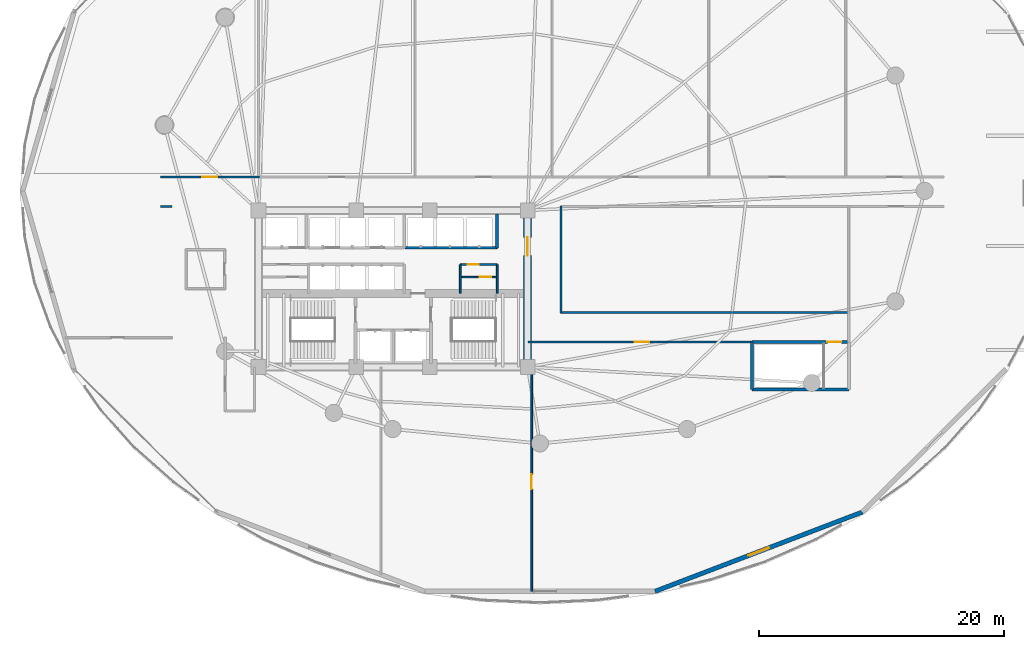
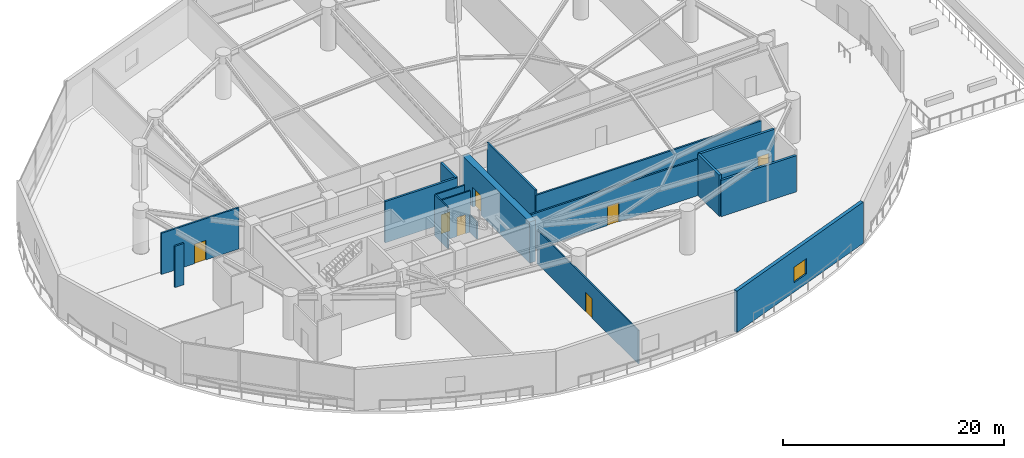
# One storey, part 17 of 26: 17 walls, 7 doors, 1 window, 8 openings.
"""IFC4 building model written with IfcOpenShell, lengths in metres."""

from ifc_helpers import new_model, si_unit, direction, frame, frame_2d, origin, place, context, subcontext, project, spatial, rectangle, extrude, material, layer, layer_set, type_object, element, fill, save


model = new_model("IFC4")

# Units and contexts
model_context = context("Model", 3, precision=1e-05, world=origin(), true_north=direction((0.0, 1.0)))
body_context = subcontext(model_context, "Body", "Model", "MODEL_VIEW")
ifc_project = project(units=[si_unit("LENGTHUNIT", "METRE"), si_unit("AREAUNIT", "SQUARE_METRE"), si_unit("VOLUMEUNIT", "CUBIC_METRE"), si_unit("PLANEANGLEUNIT", "RADIAN"), si_unit("MASSUNIT", "GRAM", prefix="KILO")], contexts=[model_context])

# Site, building, storey
site_placement = place(None, origin())
site = spatial("IfcSite", under=ifc_project, at=site_placement, CompositionType="ELEMENT")
building_placement = place(site_placement, origin())
building = spatial("IfcBuilding", under=site, at=building_placement, Name="Kazevale Care Tower and Concert Hall", CompositionType="ELEMENT")
storey_placement = place(building_placement, frame((0.0, 0.0, 19.199951171875)))
storey = spatial("IfcBuildingStorey", under=building, at=storey_placement, Name="L04", CompositionType="ELEMENT", Elevation=19.199951171875)

# Walls
ifc_material_1 = material(Name="Acoustic Gypsum on Steel Stud", Category="steel")
ifc_layer_1 = layer(ifc_material_1, 0.139892578125)
ifc_layer_set_1 = layer_set([ifc_layer_1], Name="Acoustic Gypsum on Steel Stud")
wall_type_1 = type_object("IfcWallType", Name="Acoustic Care & Suite Partition 140", PredefinedType="PARTITIONING", material=ifc_layer_set_1)
wall_1_placement = place(storey_placement, frame((38.47998046875, 29.6201171875, 0.0), z_axis=(0.0, 0.0, 1.0), x_axis=(0.0, 1.0, 0.0)))
element("IfcWall", 1, at=wall_1_placement, inside=storey, type_object=wall_type_1, Name="wall:L04:kc_ew", PredefinedType="PARTITIONING", context=body_context, shape_type="SweptSolid", body=[
    extrude(rectangle(XDim=2.35986328125, YDim=0.139892578125, at=frame_2d((1.179931640625, 0.0))), origin(), (0.0, 0.0, 1.0), 4.56005859375),
])
wall_2_placement = place(storey_placement, frame((41.52001953125, 29.6201171875, 0.0), z_axis=(0.0, 0.0, 1.0), x_axis=(0.0, 1.0, 0.0)))
element("IfcWall", 2, at=wall_2_placement, inside=storey, type_object=wall_type_1, Name="wall:L04:kc_ee", PredefinedType="PARTITIONING", context=body_context, shape_type="SweptSolid", body=[
    extrude(rectangle(XDim=2.35986328125, YDim=0.139892578125, at=frame_2d((1.179931640625, 0.0))), origin(), (0.0, 0.0, 1.0), 1.886962890625),
])

# Wall, opening, door
wall_3_placement = place(storey_placement, frame((38.47998046875, 30.949951171875, 0.0), z_axis=(0.0, 0.0, 1.0), x_axis=(1.0, 0.0, 0.0)))
wall_3 = element("IfcWall", 3, at=wall_3_placement, inside=storey, type_object=wall_type_1, Name="wall:L04:kc_em", PredefinedType="PARTITIONING", context=body_context, shape_type="SweptSolid", body=[
    extrude(rectangle(XDim=3.0400390625, YDim=0.139892578125, at=frame_2d((1.52001953125, 0.0))), origin(), (0.0, 0.0, 1.0), 4.56005859375),
])
opening_1_placement = place(wall_3_placement, frame((1.616943359375, 0.0, 0.0)))
opening_1 = element("IfcOpeningElement", 4, at=opening_1_placement, cuts=wall_3, Name="Opening ID-900", PredefinedType="OPENING", context=body_context, shape_type="SweptSolid", body=[
    extrude(rectangle(XDim=0.919921875, YDim=2.10009765625, at=frame_2d((0.4599609375, 1.050048828125))), frame((0.0, 0.079833984375, 0.0), z_axis=(0.0, -1.0, 0.0), x_axis=(1.0, 0.0, 0.0)), (0.0, 0.0, 1.0), 0.159912109375),
])
ifc_material_2 = material(Name="Oak Timber Fire Leaf", Category="wood")
door_type_1 = type_object("IfcDoorType", Name="Bathroom & Service Door 920x2100", OperationType="NOTDEFINED", PredefinedType="DOOR", material=ifc_material_2)
door_1_placement = place(opening_1_placement, origin())
door_1 = element("IfcDoor", 5, at=door_1_placement, inside=storey, type_object=door_type_1, Name="door:L04:d_kceb", OperationType="SINGLE_SWING_RIGHT", OverallHeight=2.10009765625, OverallWidth=0.919921875, PredefinedType="DOOR", context=body_context, shape_type="SweptSolid", body=[
    extrude(rectangle(XDim=0.919921875, YDim=2.10009765625, at=frame_2d((0.4599609375, 1.050048828125))), frame((0.0, 0.02490234375, 0.0), z_axis=(0.0, -1.0, 0.0), x_axis=(1.0, 0.0, 0.0)), (0.0, 0.0, 1.0), 0.050048828125),
])
fill(opening_1, door_1)

wall_4_placement = place(storey_placement, frame((38.47998046875, 31.97998046875, 0.0), z_axis=(0.0, 0.0, 1.0), x_axis=(1.0, 0.0, 0.0)))
wall_4 = element("IfcWall", 6, at=wall_4_placement, inside=storey, type_object=wall_type_1, Name="wall:L04:kc_en", PredefinedType="PARTITIONING", context=body_context, shape_type="SweptSolid", body=[
    extrude(rectangle(XDim=3.0400390625, YDim=0.139892578125, at=frame_2d((1.52001953125, 0.0))), origin(), (0.0, 0.0, 1.0), 4.56005859375),
])
opening_2_placement = place(wall_4_placement, frame((0.614013671875, 0.0, 0.0)))
opening_2 = element("IfcOpeningElement", 7, at=opening_2_placement, cuts=wall_4, Name="Opening ID-900", PredefinedType="OPENING", context=body_context, shape_type="SweptSolid", body=[
    extrude(rectangle(XDim=0.919921875, YDim=2.10009765625, at=frame_2d((0.4599609375, 1.050048828125))), frame((0.0, 0.079833984375, 0.0), z_axis=(0.0, -1.0, 0.0), x_axis=(1.0, 0.0, 0.0)), (0.0, 0.0, 1.0), 0.159912109375),
])
door_2_placement = place(opening_2_placement, origin())
door_2 = element("IfcDoor", 8, at=door_2_placement, inside=storey, type_object=door_type_1, Name="door:L04:d_kcet", OperationType="SINGLE_SWING_LEFT", OverallHeight=2.10009765625, OverallWidth=0.919921875, PredefinedType="DOOR", context=body_context, shape_type="SweptSolid", body=[
    extrude(rectangle(XDim=0.919921875, YDim=2.10009765625, at=frame_2d((0.4599609375, 1.050048828125))), frame((0.0, 0.02490234375, 0.0), z_axis=(0.0, -1.0, 0.0), x_axis=(1.0, 0.0, 0.0)), (0.0, 0.0, 1.0), 0.050048828125),
])
fill(opening_2, door_2)

wall_5_placement = place(storey_placement, frame((44.324951171875, 5.27197265625, 0.0), z_axis=(0.0, 0.0, 1.0), x_axis=(0.0, 1.0, 0.0)))
wall_5 = element("IfcWall", 9, at=wall_5_placement, inside=storey, type_object=wall_type_1, Name="wall:L04:auto_022", PredefinedType="PARTITIONING", context=body_context, shape_type="SweptSolid", body=[
    extrude(rectangle(XDim=18.318115234375, YDim=0.139892578125, at=frame_2d((9.1591796875, 0.0))), origin(), (0.0, 0.0, 1.0), 3.699951171875),
])
opening_3_placement = place(wall_5_placement, frame((8.34912109375, 0.0, 0.0)))
opening_3 = element("IfcOpeningElement", 10, at=opening_3_placement, cuts=wall_5, Name="Opening ID-1200", PredefinedType="OPENING", context=body_context, shape_type="SweptSolid", body=[
    extrude(rectangle(XDim=1.199951171875, YDim=2.14990234375, at=frame_2d((0.60009765625, 1.074951171875))), frame((0.0, 0.079833984375, 0.0), z_axis=(0.0, -1.0, 0.0), x_axis=(1.0, 0.0, 0.0)), (0.0, 0.0, 1.0), 0.159912109375),
])
door_type_2 = type_object("IfcDoorType", Name="Clinical & Therapy Door 1200x2150", OperationType="NOTDEFINED", PredefinedType="DOOR", material=ifc_material_2)
door_3_placement = place(opening_3_placement, origin())
door_3 = element("IfcDoor", 11, at=door_3_placement, inside=storey, type_object=door_type_2, Name="door:L04:ad_022", OperationType="SINGLE_SWING_LEFT", OverallHeight=2.14990234375, OverallWidth=1.199951171875, PredefinedType="DOOR", context=body_context, shape_type="SweptSolid", body=[
    extrude(rectangle(XDim=1.199951171875, YDim=2.14990234375, at=frame_2d((0.60009765625, 1.074951171875))), frame((0.0, 0.02490234375, 0.0), z_axis=(0.0, -1.0, 0.0), x_axis=(1.0, 0.0, 0.0)), (0.0, 0.0, 1.0), 0.050048828125),
])
fill(opening_3, door_3)

ifc_material_3 = material(Name="Concrete C70", Category="concrete")
ifc_layer_2 = layer(ifc_material_3, 0.64990234375)
ifc_layer_set_2 = layer_set([ifc_layer_2], Name="Concrete C70")
wall_type_2 = type_object("IfcWallType", Name="Core Shear Wall 650 C70", PredefinedType="SHEAR", material=ifc_layer_set_2)
wall_6_placement = place(storey_placement, frame((44.0, 23.925048828125, 0.0), z_axis=(0.0, 0.0, 1.0), x_axis=(0.0, 1.0, 0.0)))
wall_6 = element("IfcWall", 12, at=wall_6_placement, inside=storey, type_object=wall_type_2, Name="wall:L04:core:E", PredefinedType="SHEAR", context=body_context, shape_type="SweptSolid", body=[
    extrude(rectangle(XDim=12.14990234375, YDim=0.64990234375, at=frame_2d((6.074951171875, 0.0))), origin(), (0.0, 0.0, 1.0), 4.56005859375),
])
opening_4_placement = place(wall_6_placement, frame((8.77490234375, 0.0, 0.0)))
opening_4 = element("IfcOpeningElement", 13, at=opening_4_placement, cuts=wall_6, Name="Opening FD-60D", PredefinedType="OPENING", context=body_context, shape_type="SweptSolid", body=[
    extrude(rectangle(XDim=1.5, YDim=2.14990234375, at=frame_2d((0.75, 1.074951171875))), frame((0.0, 0.3349609375, 0.0), z_axis=(0.0, -1.0, 0.0), x_axis=(1.0, 0.0, 0.0)), (0.0, 0.0, 1.0), 0.669921875),
])
door_type_3 = type_object("IfcDoorType", Name="Double Lobby & Auditorium Fire Door 1500x2150", OperationType="NOTDEFINED", PredefinedType="DOOR", material=ifc_material_2)
door_4_placement = place(opening_4_placement, origin())
door_4 = element("IfcDoor", 14, at=door_4_placement, inside=storey, type_object=door_type_3, Name="door:L04:core_east_out", OperationType="DOUBLE_DOOR_SINGLE_SWING", OverallHeight=2.14990234375, OverallWidth=1.5, PredefinedType="DOOR", context=body_context, shape_type="SweptSolid", body=[
    extrude(rectangle(XDim=1.5, YDim=2.14990234375, at=frame_2d((0.75, 1.074951171875))), frame((0.0, 0.02490234375, 0.0), z_axis=(0.0, -1.0, 0.0), x_axis=(1.0, 0.0, 0.0)), (0.0, 0.0, 1.0), 0.050048828125),
])
fill(opening_4, door_4)

# Walls
ifc_material_4 = material(Name="Concrete C40", Category="concrete")
ifc_layer_3 = layer(ifc_material_4, 0.219970703125)
ifc_layer_set_3 = layer_set([ifc_layer_3], Name="Concrete C40")
wall_type_3 = type_object("IfcWallType", Name="Elevator Hoistway Shaft Wall 220", PredefinedType="SOLIDWALL", material=ifc_layer_set_3)
wall_7_placement = place(storey_placement, frame((33.97998046875, 33.35009765625, 0.0), z_axis=(0.0, 0.0, 1.0), x_axis=(1.0, 0.0, 0.0)))
element("IfcWall", 15, at=wall_7_placement, inside=storey, type_object=wall_type_3, Name="wall:L04:c_pm_s", PredefinedType="SOLIDWALL", context=body_context, shape_type="SweptSolid", body=[
    extrude(rectangle(XDim=7.5400390625, YDim=0.219970703125, at=frame_2d((3.77001953125, 0.0))), origin(), (0.0, 0.0, 1.0), 4.56005859375),
])
wall_8_placement = place(storey_placement, frame((41.5, 33.35009765625, 0.0), z_axis=(0.0, 0.0, 1.0), x_axis=(0.0, 1.0, 0.0)))
element("IfcWall", 16, at=wall_8_placement, inside=storey, type_object=wall_type_3, Name="wall:L04:c_pm_e", PredefinedType="SOLIDWALL", context=body_context, shape_type="SweptSolid", body=[
    extrude(rectangle(XDim=2.75, YDim=0.219970703125, at=frame_2d((1.375, 0.0))), origin(), (0.0, 0.0, 1.0), 4.56005859375),
])

# Wall, opening, door
ifc_material_5 = material(Name="Concrete C40 and Acoustic Gypsum", Category="concrete")
ifc_layer_4 = layer(ifc_material_5, 0.179931640625)
ifc_layer_set_4 = layer_set([ifc_layer_4], Name="Concrete C40 and Acoustic Gypsum")
wall_type_4 = type_object("IfcWallType", Name="Fire-Rated Corridor & Party Wall 180", PredefinedType="PARTITIONING", material=ifc_layer_set_4)
wall_9_placement = place(storey_placement, frame((13.969970703125, 39.125, 0.0), z_axis=(0.0, 0.0, 1.0), x_axis=(1.0, 0.0, 0.0)))
wall_9 = element("IfcWall", 17, at=wall_9_placement, inside=storey, type_object=wall_type_4, Name="wall:L04:auto_001", PredefinedType="PARTITIONING", context=body_context, shape_type="SweptSolid", body=[
    extrude(rectangle(XDim=8.094970703125, YDim=0.179931640625, at=frame_2d((4.04736328125, 0.0))), origin(), (0.0, 0.0, 1.0), 4.56005859375),
])
opening_5_placement = place(wall_9_placement, frame((3.447998046875, 0.0, 0.0)))
opening_5 = element("IfcOpeningElement", 18, at=opening_5_placement, cuts=wall_9, Name="Opening ID-1200", PredefinedType="OPENING", context=body_context, shape_type="SweptSolid", body=[
    extrude(rectangle(XDim=1.199951171875, YDim=2.14990234375, at=frame_2d((0.60009765625, 1.074951171875))), frame((0.0, 0.099853515625, 0.0), z_axis=(0.0, -1.0, 0.0), x_axis=(1.0, 0.0, 0.0)), (0.0, 0.0, 1.0), 0.199951171875),
])
door_5_placement = place(opening_5_placement, origin())
door_5 = element("IfcDoor", 19, at=door_5_placement, inside=storey, type_object=door_type_2, Name="door:L04:ad_001", OperationType="SINGLE_SWING_LEFT", OverallHeight=2.14990234375, OverallWidth=1.199951171875, PredefinedType="DOOR", context=body_context, shape_type="SweptSolid", body=[
    extrude(rectangle(XDim=1.199951171875, YDim=2.14990234375, at=frame_2d((0.60009765625, 1.074951171875))), frame((0.0, 0.02490234375, 0.0), z_axis=(0.0, -1.0, 0.0), x_axis=(1.0, 0.0, 0.0)), (0.0, 0.0, 1.0), 0.050048828125),
])
fill(opening_5, door_5)

wall_10_placement = place(storey_placement, frame((62.4150390625, 25.64990234375, 0.0), z_axis=(0.0, 0.0, 1.0), x_axis=(-1.0, 0.0, 0.0)))
wall_10 = element("IfcWall", 20, at=wall_10_placement, inside=storey, type_object=wall_type_4, Name="wall:L04:auto_007", PredefinedType="PARTITIONING", context=body_context, shape_type="SweptSolid", body=[
    extrude(rectangle(XDim=18.405029296875, YDim=0.179931640625, at=frame_2d((9.20263671875, 0.0))), origin(), (0.0, 0.0, 1.0), 4.006103515625),
])
opening_6_placement = place(wall_10_placement, frame((8.4599609375, 0.0, 0.0)))
opening_6 = element("IfcOpeningElement", 21, at=opening_6_placement, cuts=wall_10, Name="Opening ID-1200", PredefinedType="OPENING", context=body_context, shape_type="SweptSolid", body=[
    extrude(rectangle(XDim=1.199951171875, YDim=2.14990234375, at=frame_2d((0.60009765625, 1.074951171875))), frame((0.0, 0.099853515625, 0.0), z_axis=(0.0, -1.0, 0.0), x_axis=(1.0, 0.0, 0.0)), (0.0, 0.0, 1.0), 0.199951171875),
])
door_6_placement = place(opening_6_placement, origin())
door_6 = element("IfcDoor", 22, at=door_6_placement, inside=storey, type_object=door_type_2, Name="door:L04:ad_007", OperationType="SINGLE_SWING_LEFT", OverallHeight=2.14990234375, OverallWidth=1.199951171875, PredefinedType="DOOR", context=body_context, shape_type="SweptSolid", body=[
    extrude(rectangle(XDim=1.199951171875, YDim=2.14990234375, at=frame_2d((0.60009765625, 1.074951171875))), frame((0.0, 0.02490234375, 0.0), z_axis=(0.0, -1.0, 0.0), x_axis=(1.0, 0.0, 0.0)), (0.0, 0.0, 1.0), 0.050048828125),
])
fill(opening_6, door_6)

# Walls
wall_11_placement = place(storey_placement, frame((46.695068359375, 28.050048828125, 0.0), z_axis=(0.0, 0.0, 1.0), x_axis=(1.0, 0.0, 0.0)))
element("IfcWall", 23, at=wall_11_placement, inside=storey, type_object=wall_type_4, Name="wall:L04:auto_009", PredefinedType="PARTITIONING", context=body_context, shape_type="SweptSolid", body=[
    extrude(rectangle(XDim=23.5849609375, YDim=0.179931640625, at=frame_2d((11.79248046875, 0.0))), origin(), (0.0, 0.0, 1.0), 4.006103515625),
])
wall_12_placement = place(storey_placement, frame((46.72509765625, 36.7548828125, 0.0), z_axis=(0.0, 0.0, 1.0), x_axis=(0.0, -1.0, 0.0)))
element("IfcWall", 24, at=wall_12_placement, inside=storey, type_object=wall_type_4, Name="wall:L04:auto_010", PredefinedType="PARTITIONING", context=body_context, shape_type="SweptSolid", body=[
    extrude(rectangle(XDim=8.73486328125, YDim=0.179931640625, at=frame_2d((4.367431640625, 0.0))), origin(), (0.0, 0.0, 1.0), 4.56005859375),
])
wall_13_placement = place(storey_placement, frame((14.93994140625, 36.72509765625, 0.0), z_axis=(0.0, 0.0, 1.0), x_axis=(-1.0, 0.0, 0.0)))
element("IfcWall", 25, at=wall_13_placement, inside=storey, type_object=wall_type_4, Name="wall:L04:auto_016", PredefinedType="PARTITIONING", context=body_context, shape_type="SweptSolid", body=[
    extrude(rectangle(XDim=0.969970703125, YDim=0.179931640625, at=frame_2d((0.48486328125, 0.0))), origin(), (0.0, 0.0, 1.0), 4.56005859375),
])

# Wall, opening, window
ifc_material_6 = material(Name="Concrete C40 with Honed Limestone Cladding", Category="masonry")
ifc_layer_5 = layer(ifc_material_6, 0.360107421875)
ifc_layer_set_5 = layer_set([ifc_layer_5], Name="Concrete C40 with Honed Limestone Cladding")
wall_type_5 = type_object("IfcWallType", Name="Podium Insulated Limestone Wall 360", PredefinedType="STANDARD", material=ifc_layer_set_5)
wall_14_placement = place(storey_placement, frame((54.407958984375, 5.261962890625, 0.0), z_axis=(0.0, 0.0, 1.0), x_axis=(0.934014086565, 0.357236176917, 0.0)))
wall_14 = element("IfcWall", 26, at=wall_14_placement, inside=storey, type_object=wall_type_5, Name="wall:L04:podew:12", PredefinedType="STANDARD", context=body_context, shape_type="SweptSolid", body=[
    extrude(rectangle(XDim=18.15087890625, YDim=0.360107421875, at=frame_2d((9.075439453125, 0.0))), origin(), (0.0, 0.0, 1.0), 4.56005859375),
])
opening_7_placement = place(wall_14_placement, frame((8.175048828125, 0.0, 1.050048828125)))
opening_7 = element("IfcOpeningElement", 27, at=opening_7_placement, cuts=wall_14, Name="Opening WIN-2", PredefinedType="OPENING", context=body_context, shape_type="SweptSolid", body=[
    extrude(rectangle(XDim=1.800048828125, YDim=1.699951171875, at=frame_2d((0.89990234375, 0.85009765625))), frame((0.0, 0.18994140625, 0.0), z_axis=(0.0, -1.0, 0.0), x_axis=(1.0, 0.0, 0.0)), (0.0, 0.0, 1.0), 0.380126953125),
])
ifc_material_7 = material(Name="Low-E Laminated Glass", Category="glass")
window_type = type_object("IfcWindowType", Name="Clinical Punched Window 1800x1700", PartitioningType="DOUBLE_PANEL_VERTICAL", PredefinedType="WINDOW", material=ifc_material_7)
window_placement = place(opening_7_placement, origin())
window = element("IfcWindow", 28, at=window_placement, inside=storey, type_object=window_type, Name="win:L04:pod:12", OverallHeight=1.699951171875, OverallWidth=1.800048828125, PartitioningType="SINGLE_PANEL", PredefinedType="WINDOW", context=body_context, shape_type="SweptSolid", body=[
    extrude(rectangle(XDim=1.800048828125, YDim=1.699951171875, at=frame_2d((0.89990234375, 0.85009765625))), frame((0.0, 0.030029296875, 0.0), z_axis=(0.0, -1.0, 0.0), x_axis=(1.0, 0.0, 0.0)), (0.0, 0.0, 1.0), 0.06005859375),
])
fill(opening_7, window)

# Wall, opening, door
ifc_layer_6 = layer(ifc_material_4, 0.25)
ifc_layer_set_6 = layer_set([ifc_layer_6], Name="Concrete C40")
wall_type_6 = type_object("IfcWallType", Name="Pressurized Stair Shaft Wall 250", PredefinedType="SOLIDWALL", material=ifc_layer_set_6)
wall_15_placement = place(storey_placement, frame((62.35009765625, 25.64990234375, 0.0), z_axis=(0.0, 0.0, 1.0), x_axis=(1.0, 0.0, 0.0)))
wall_15 = element("IfcWall", 29, at=wall_15_placement, inside=storey, type_object=wall_type_6, Name="wall:L04:pod_st3_n", PredefinedType="SOLIDWALL", context=body_context, shape_type="SweptSolid", body=[
    extrude(rectangle(XDim=7.89990234375, YDim=0.25, at=frame_2d((3.949951171875, 0.0))), origin(), (0.0, 0.0, 1.0), 4.56005859375),
])
opening_8_placement = place(wall_15_placement, frame((6.139892578125, 0.0, 0.0)))
opening_8 = element("IfcOpeningElement", 30, at=opening_8_placement, cuts=wall_15, Name="Opening FD-90", PredefinedType="OPENING", context=body_context, shape_type="SweptSolid", body=[
    extrude(rectangle(XDim=1.14990234375, YDim=2.10009765625, at=frame_2d((0.574951171875, 1.050048828125))), frame((0.0, 0.135009765625, 0.0), z_axis=(0.0, -1.0, 0.0), x_axis=(1.0, 0.0, 0.0)), (0.0, 0.0, 1.0), 0.27001953125),
])
ifc_material_8 = material(Name="Steel ASTM A572 Gr 50", Category="steel")
door_type_4 = type_object("IfcDoorType", Name="Pressurized Stair & Lobby Fire Door 1150x2100", OperationType="NOTDEFINED", PredefinedType="DOOR", material=ifc_material_8)
door_7_placement = place(opening_8_placement, origin())
door_7 = element("IfcDoor", 31, at=door_7_placement, inside=storey, type_object=door_type_4, Name="door:L04:pod_st3d", OperationType="SINGLE_SWING_LEFT", OverallHeight=2.10009765625, OverallWidth=1.14990234375, PredefinedType="DOOR", context=body_context, shape_type="SweptSolid", body=[
    extrude(rectangle(XDim=1.14990234375, YDim=2.10009765625, at=frame_2d((0.574951171875, 1.050048828125))), frame((0.0, 0.02490234375, 0.0), z_axis=(0.0, -1.0, 0.0), x_axis=(1.0, 0.0, 0.0)), (0.0, 0.0, 1.0), 0.050048828125),
])
fill(opening_8, door_7)

# Walls
wall_16_placement = place(storey_placement, frame((62.35009765625, 21.75, 0.0), z_axis=(0.0, 0.0, 1.0), x_axis=(1.0, 0.0, 0.0)))
element("IfcWall", 32, at=wall_16_placement, inside=storey, type_object=wall_type_6, Name="wall:L04:pod_st3_s", PredefinedType="SOLIDWALL", context=body_context, shape_type="SweptSolid", body=[
    extrude(rectangle(XDim=7.89990234375, YDim=0.25, at=frame_2d((3.949951171875, 0.0))), origin(), (0.0, 0.0, 1.0), 4.006103515625),
])
wall_17_placement = place(storey_placement, frame((62.35009765625, 21.75, 0.0), z_axis=(0.0, 0.0, 1.0), x_axis=(0.0, 1.0, 0.0)))
element("IfcWall", 33, at=wall_17_placement, inside=storey, type_object=wall_type_6, Name="wall:L04:pod_st3_w", PredefinedType="SOLIDWALL", context=body_context, shape_type="SweptSolid", body=[
    extrude(rectangle(XDim=3.89990234375, YDim=0.25, at=frame_2d((1.949951171875, 0.0))), origin(), (0.0, 0.0, 1.0), 4.56005859375),
])

save(model, "model.ifc")
